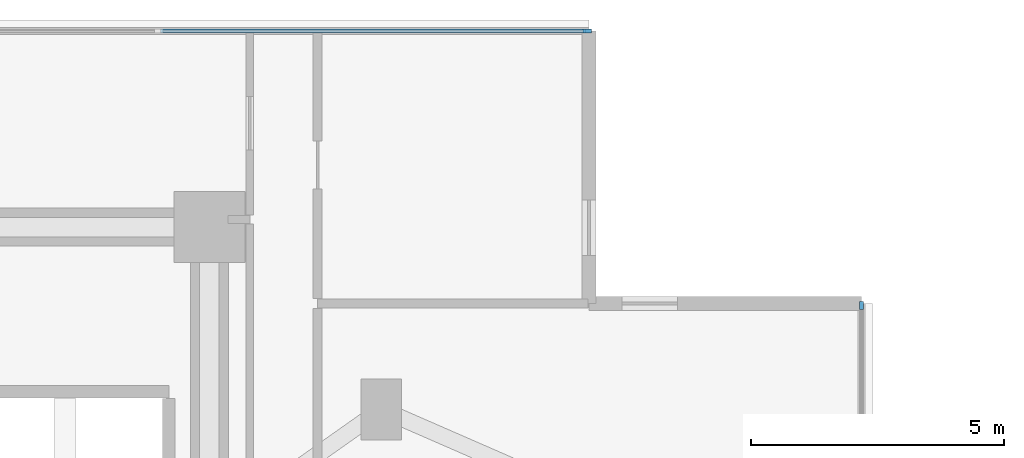
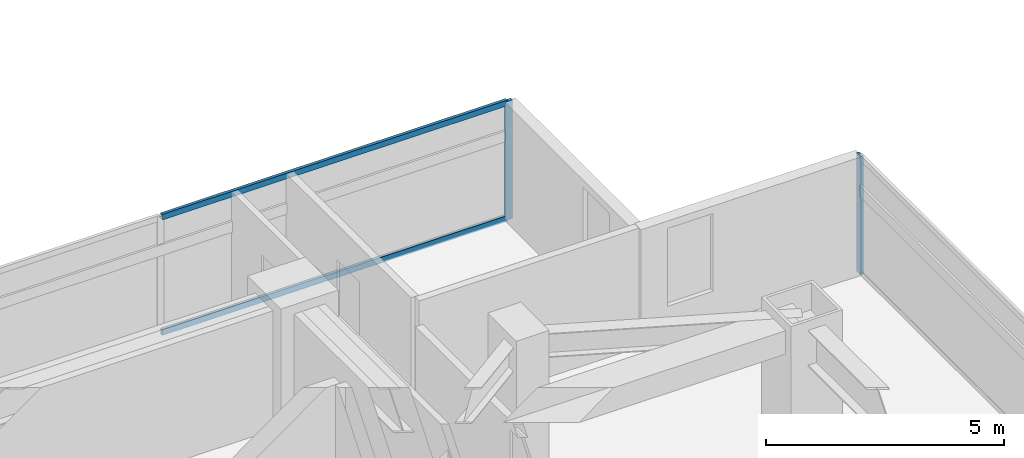
# One storey, part 8 of 26: 4 members, 2 elements without a shape of their own.
"""IFC4 building model written with IfcOpenShell, lengths in metres."""

from ifc_helpers import new_model, si_unit, direction, frame, origin, origin_2d, place, context, subcontext, project, spatial, rectangle, extrude, material, material_profile, profile_set, type_object, element, aggregate, save


model = new_model("IFC4")

# Units and contexts
model_context = context("Model", 3, precision=1e-05, world=origin(), true_north=direction((0.0, 1.0)))
body_context = subcontext(model_context, "Body", "Model", "MODEL_VIEW")
ifc_project = project(units=[si_unit("LENGTHUNIT", "METRE"), si_unit("AREAUNIT", "SQUARE_METRE"), si_unit("VOLUMEUNIT", "CUBIC_METRE"), si_unit("PLANEANGLEUNIT", "RADIAN"), si_unit("MASSUNIT", "GRAM", prefix="KILO")], contexts=[model_context])

# Site, building, storey
site_placement = place(None, origin())
site = spatial("IfcSite", under=ifc_project, at=site_placement, CompositionType="ELEMENT")
building_placement = place(site_placement, origin())
building = spatial("IfcBuilding", under=site, at=building_placement, Name="Mirazonda Arch Towers", CompositionType="ELEMENT")
storey_placement = place(building_placement, frame((0.0, 0.0, 38.89990234375)))
storey = spatial("IfcBuildingStorey", under=building, at=storey_placement, Name="L10", CompositionType="ELEMENT", Elevation=38.89990234375)

# Curtain wall, member
ifc_material_1 = material(Name="Anodised Aluminium and Low-E Glass", Category="aluminium")
curtain_wall_type = type_object("IfcCurtainWallType", Name="CW-HTL-UNIT", PredefinedType="NOTDEFINED", material=ifc_material_1)
curtain_wall_1_placement = place(storey_placement, origin())
curtain_wall_1 = element("IfcCurtainWall", 1, at=curtain_wall_1_placement, inside=storey, type_object=curtain_wall_type, Name="L10 T1 E Facade CW-L10-T1-E", PredefinedType="NOTDEFINED")
ifc_material_2 = material(Name="Anodised Aluminium Alloy", Category="aluminium")
ifc_material_profile_1 = material_profile(ifc_material_2, rectangle(XDim=0.074951171875, YDim=0.1650390625, at=origin_2d()), Name="ALU-MULL-75x165")
ifc_profile_set_1 = profile_set([ifc_material_profile_1], Name="Anodised Aluminium Alloy")
member_type_1 = type_object("IfcMemberType", Name="MULL-CW-HTL-UNIT", PredefinedType="MULLION", material=ifc_profile_set_1)
member_1_placement = place(storey_placement, frame((42.8798828125, 42.052490234375, 0.0), z_axis=(0.0, 0.0, 1.0), x_axis=(-1.0, 0.0, 0.0)))
member_1 = element("IfcMember", 2, at=member_1_placement, type_object=member_type_1, Name="CW-112 mullion 4", PredefinedType="MULLION", context=body_context, shape_type="SweptSolid", body=[
    extrude(rectangle(XDim=0.074951171875, YDim=0.1650390625, at=origin_2d()), origin(), (0.0, 0.0, 1.0), 3.0400390625),
])
aggregate(curtain_wall_1, [member_1])

# Curtain wall, members
curtain_wall_2_placement = place(storey_placement, origin())
curtain_wall_2 = element("IfcCurtainWall", 3, at=curtain_wall_2_placement, inside=storey, type_object=curtain_wall_type, Name="L10 T1 N Facade CW-L10-T1-N", PredefinedType="NOTDEFINED")
member_2_placement = place(storey_placement, frame((37.46240234375, 47.469970703125, 0.0), z_axis=(0.0, 0.0, 1.0), x_axis=(0.0, 1.0, 0.0)))
member_2 = element("IfcMember", 4, at=member_2_placement, type_object=member_type_1, Name="CW-112 mullion 5", PredefinedType="MULLION", context=body_context, shape_type="SweptSolid", body=[
    extrude(rectangle(XDim=0.074951171875, YDim=0.1650390625, at=origin_2d()), origin(), (0.0, 0.0, 1.0), 3.0400390625),
])
ifc_material_profile_2 = material_profile(ifc_material_2, rectangle(XDim=0.074951171875, YDim=0.14501953125, at=origin_2d()), Name="ALU-TRAN-75x145")
ifc_profile_set_2 = profile_set([ifc_material_profile_2], Name="Anodised Aluminium Alloy")
member_type_2 = type_object("IfcMemberType", Name="TRAN-CW-HTL-UNIT", PredefinedType="USERDEFINED", material=ifc_profile_set_2)
member_3_placement = place(storey_placement, frame((29.03759765625, 47.469970703125, 0.03759765625), z_axis=(1.0, 0.0, 0.0), x_axis=(0.0, 1.0, 0.0)))
member_3 = element("IfcMember", 5, at=member_3_placement, type_object=member_type_2, Name="CW-112 transom 4.1", ObjectType="TRANSOM", PredefinedType="USERDEFINED", context=body_context, shape_type="SweptSolid", body=[
    extrude(rectangle(XDim=0.074951171875, YDim=0.14501953125, at=origin_2d()), origin(), (0.0, 0.0, 1.0), 8.387451171875),
])
member_4_placement = place(storey_placement, frame((29.03759765625, 47.469970703125, 3.002685546875), z_axis=(1.0, 0.0, 0.0), x_axis=(0.0, 1.0, 0.0)))
member_4 = element("IfcMember", 6, at=member_4_placement, type_object=member_type_2, Name="CW-112 transom 4.2", ObjectType="TRANSOM", PredefinedType="USERDEFINED", context=body_context, shape_type="SweptSolid", body=[
    extrude(rectangle(XDim=0.074951171875, YDim=0.14501953125, at=origin_2d()), origin(), (0.0, 0.0, 1.0), 8.387451171875),
])
aggregate(curtain_wall_2, [member_2, member_3, member_4])

save(model, "model.ifc")
